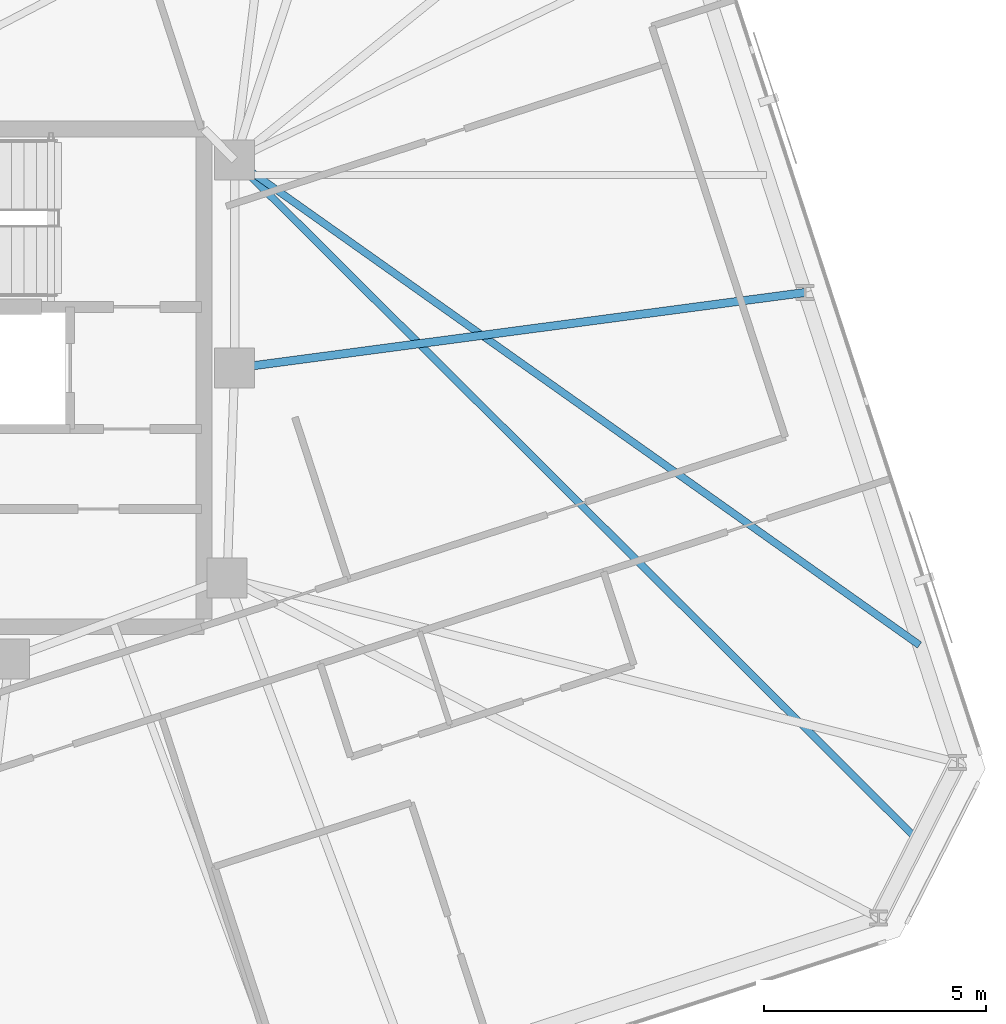
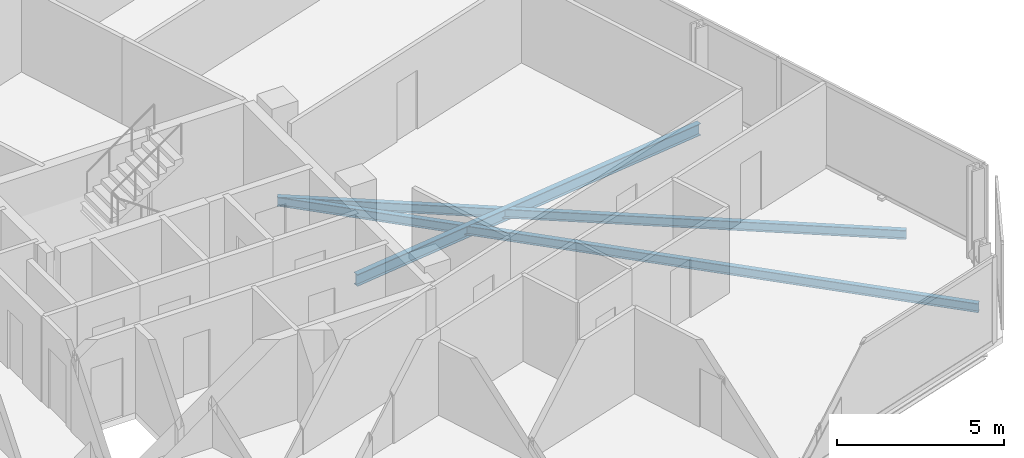
# One storey, part 8 of 19: 3 beams.
"""IFC4 building model written with IfcOpenShell, lengths in metres."""

from ifc_helpers import new_model, si_unit, direction, frame, origin, origin_2d, place, context, subcontext, project, spatial, i_section, extrude, material, material_profile, profile_set, type_object, element, save


model = new_model("IFC4")

# Units and contexts
model_context = context("Model", 3, precision=1e-05, world=origin(), true_north=direction((0.0, 1.0)))
body_context = subcontext(model_context, "Body", "Model", "MODEL_VIEW")
ifc_project = project(units=[si_unit("LENGTHUNIT", "METRE"), si_unit("AREAUNIT", "SQUARE_METRE"), si_unit("VOLUMEUNIT", "CUBIC_METRE"), si_unit("PLANEANGLEUNIT", "RADIAN"), si_unit("MASSUNIT", "GRAM", prefix="KILO")], contexts=[model_context])

# Site, building, storey
site_placement = place(None, origin())
site = spatial("IfcSite", under=ifc_project, at=site_placement, CompositionType="ELEMENT")
building_placement = place(site_placement, origin())
building = spatial("IfcBuilding", under=site, at=building_placement, Name="Menara Jurai Vektor", CompositionType="ELEMENT")
storey_placement = place(building_placement, frame((0.0, 0.0, 241.050048828125)))
storey = spatial("IfcBuildingStorey", under=building, at=storey_placement, Name="L64", CompositionType="ELEMENT", Elevation=241.050048828125)

# Beams
ifc_material = material(Name="Steel S355", Category="steel")
ifc_material_profile_1 = material_profile(ifc_material, i_section(OverallWidth=0.18505859375, OverallDepth=0.429931640625, WebThickness=0.010986328125, FlangeThickness=0.01806640625, at=origin_2d()), Name="PG 430x185x76")
ifc_profile_set_1 = profile_set([ifc_material_profile_1], Name="Steel S355")
beam_type_1 = type_object("IfcBeamType", Name="STR-BM-430", PredefinedType="BEAM", material=ifc_profile_set_1)
beam_1_placement = place(storey_placement, frame((28.07763671875, 1.92236328125, -0.43994140625), z_axis=(-0.99130829243, -0.131559375797, 0.0), x_axis=(0.131559375797, -0.99130829243, 0.0)))
element("IfcBeam", 1, at=beam_1_placement, inside=storey, type_object=beam_type_1, Name="Radial Floor Girder L64-E2", PredefinedType="BEAM", context=body_context, shape_type="SweptSolid", body=[
    extrude(i_section(OverallWidth=0.18505859375, OverallDepth=0.429931640625, WebThickness=0.010986328125, FlangeThickness=0.01806640625, at=origin_2d()), origin(), (0.0, 0.0, 1.0), 12.940185546875),
])
ifc_material_profile_2 = material_profile(ifc_material, i_section(OverallWidth=0.1650390625, OverallDepth=0.330078125, WebThickness=0.009033203125, FlangeThickness=0.013916015625, at=origin_2d()), Name="PG 330x165x46")
ifc_profile_set_2 = profile_set([ifc_material_profile_2], Name="Steel S355")
beam_type_2 = type_object("IfcBeamType", Name="STR-JS-330", PredefinedType="JOIST", material=ifc_profile_set_2)
beam_2_placement = place(storey_placement, frame((30.62353515625, -10.398681640625, -0.39013671875), z_axis=(-0.70883256901, 0.705376771032, 0.0), x_axis=(-0.705376771032, -0.70883256901, 0.0)))
element("IfcBeam", 2, at=beam_2_placement, inside=storey, type_object=beam_type_2, Name="Radial Secondary Floor Joist L64-JS09", PredefinedType="JOIST", context=body_context, shape_type="SweptSolid", body=[
    extrude(i_section(OverallWidth=0.1650390625, OverallDepth=0.330078125, WebThickness=0.009033203125, FlangeThickness=0.013916015625, at=origin_2d()), origin(), (0.0, 0.0, 1.0), 21.6884765625),
])
beam_3_placement = place(storey_placement, frame((30.654296875, -6.00830078125, -0.39013671875), z_axis=(-0.816103783972, 0.577905367501, 0.0), x_axis=(-0.577905367501, -0.816103783972, 0.0)))
element("IfcBeam", 3, at=beam_3_placement, inside=storey, type_object=beam_type_2, Name="Radial Secondary Floor Joist L64-JS10", PredefinedType="JOIST", context=body_context, shape_type="SweptSolid", body=[
    extrude(i_section(OverallWidth=0.1650390625, OverallDepth=0.330078125, WebThickness=0.009033203125, FlangeThickness=0.013916015625, at=origin_2d()), origin(), (0.0, 0.0, 1.0), 18.87548828125),
])

save(model, "model.ifc")
